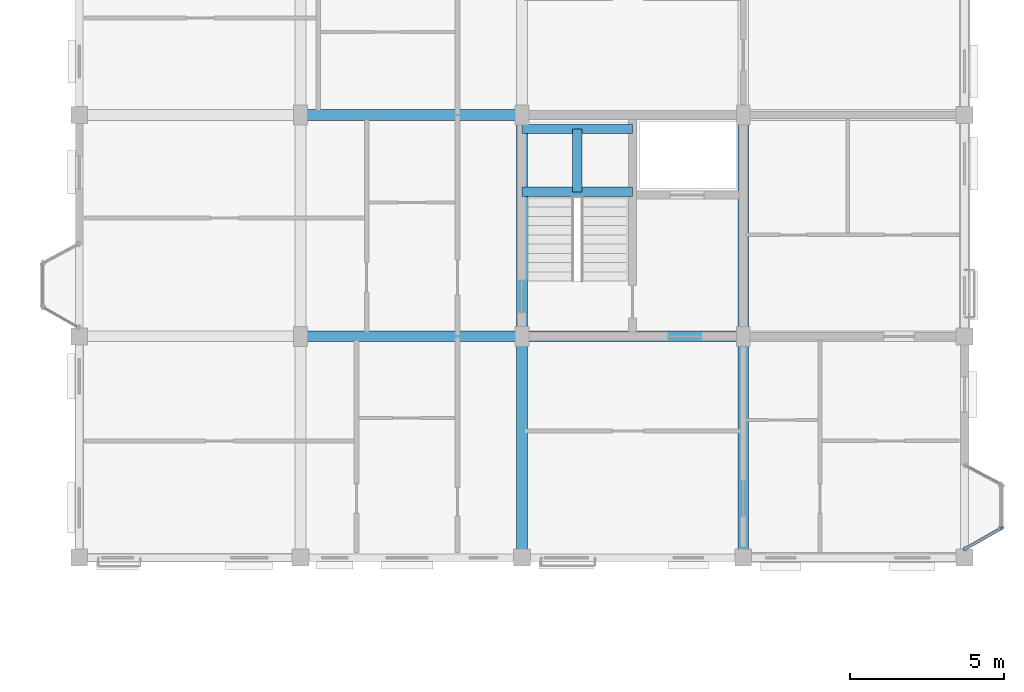
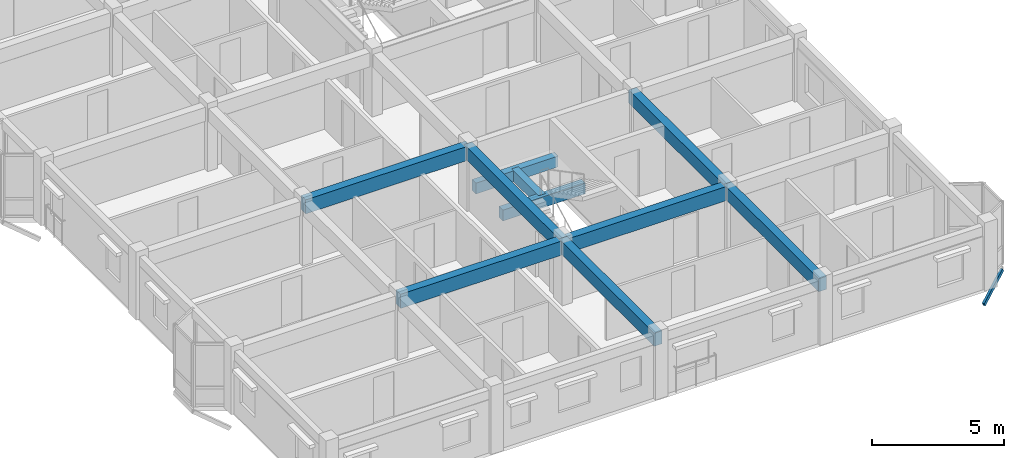
# One storey, part 24 of 79: 10 beams, 1 member.
"""IFC4 building model written with IfcOpenShell, lengths in metres."""

from ifc_helpers import new_model, si_unit, direction, frame, origin, origin_2d, place, context, subcontext, project, spatial, rectangle, hollow_rectangle, extrude, material, material_profile, profile_set, type_object, element, save


model = new_model("IFC4")

# Units and contexts
model_context = context("Model", 3, precision=1e-05, world=origin(), true_north=direction((0.0, 1.0)))
body_context = subcontext(model_context, "Body", "Model", "MODEL_VIEW")
ifc_project = project(units=[si_unit("LENGTHUNIT", "METRE"), si_unit("AREAUNIT", "SQUARE_METRE"), si_unit("VOLUMEUNIT", "CUBIC_METRE"), si_unit("PLANEANGLEUNIT", "RADIAN"), si_unit("MASSUNIT", "GRAM", prefix="KILO"), si_unit("THERMODYNAMICTEMPERATUREUNIT", "KELVIN"), si_unit("POWERUNIT", "WATT")], contexts=[model_context])

# Site, building, storey
site_placement = place(None, origin())
site = spatial("IfcSite", under=ifc_project, at=site_placement, CompositionType="ELEMENT")
building_placement = place(site_placement, origin())
building = spatial("IfcBuilding", under=site, at=building_placement, Name="Tavuni Mirador Residences", CompositionType="ELEMENT")
storey_placement = place(building_placement, frame((0.0, 0.0, 13.949951171875)))
storey = spatial("IfcBuildingStorey", under=building, at=storey_placement, Name="L04", CompositionType="ELEMENT", Elevation=13.949951171875)

# Beams
ifc_material_1 = material(Name="Precast concrete C40/50", Category="concrete")
ifc_material_profile_1 = material_profile(ifc_material_1, rectangle(XDim=0.300048828125, YDim=0.5, at=origin_2d()), Name="PC 300x500", Category="concrete")
ifc_profile_set_1 = profile_set([ifc_material_profile_1], Name="Precast concrete C40/50")
beam_type_1 = type_object("IfcBeamType", Name="BT-B500", PredefinedType="BEAM", material=ifc_profile_set_1)
for number, where, z_axis, x_axis, name in (
    (1, (104.39990234375, 98.300048828125, 1.14501953125), (1.0, 0.0, 0.0), (0.0, 1.0, 0.0), "HLB1-C7-L04"),
    (2, (104.39990234375, 100.35009765625, 1.14501953125), (1.0, 0.0, 0.0), (0.0, 1.0, 0.0), "HLB2-C7-L04"),
):
    element("IfcBeam", number, at=place(storey_placement, frame(where, z_axis=z_axis, x_axis=x_axis)), inside=storey, type_object=beam_type_1, Name=name, PredefinedType="BEAM", context=body_context, shape_type="SweptSolid", body=[
        extrude(rectangle(XDim=0.300048828125, YDim=0.5, at=origin_2d()), origin(), (0.0, 0.0, 1.0), 3.60009765625),
    ])
beam_1_placement = place(storey_placement, frame((106.199951171875, 98.300048828125, 1.14501953125), z_axis=(0.0, 1.0, 0.0), x_axis=(-1.0, 0.0, 0.0)))
element("IfcBeam", 3, at=beam_1_placement, inside=storey, type_object=beam_type_1, Name="HLB3-C7-L04", PredefinedType="BEAM", context=body_context, shape_type="SweptSolid", body=[
    extrude(rectangle(XDim=0.300048828125, YDim=0.5, at=origin_2d()), origin(), (0.0, 0.0, 1.0), 2.050048828125),
])
ifc_material_profile_2 = material_profile(ifc_material_1, rectangle(XDim=0.35009765625, YDim=0.60009765625, at=origin_2d()), Name="PC 350x600", Category="concrete")
ifc_profile_set_2 = profile_set([ifc_material_profile_2], Name="Precast concrete C40/50")
beam_type_2 = type_object("IfcBeamType", Name="BT-B600", PredefinedType="BEAM", material=ifc_profile_set_2)
beam_2_placement = place(storey_placement, frame((104.39990234375, 86.39990234375, 2.590087890625), z_axis=(0.0, 1.0, 0.0), x_axis=(-1.0, 0.0, 0.0)))
element("IfcBeam", 4, at=beam_2_placement, inside=storey, type_object=beam_type_2, Name="BMY-BLK-D-L04-02-00", PredefinedType="BEAM", context=body_context, shape_type="SweptSolid", body=[
    extrude(rectangle(XDim=0.35009765625, YDim=0.60009765625, at=origin_2d()), origin(), (0.0, 0.0, 1.0), 7.2001953125),
])
beam_3_placement = place(storey_placement, frame((104.39990234375, 93.60009765625, 2.590087890625), z_axis=(0.0, 1.0, 0.0), x_axis=(-1.0, 0.0, 0.0)))
element("IfcBeam", 5, at=beam_3_placement, inside=storey, type_object=beam_type_2, Name="BMY-BLK-D-L04-02-01", PredefinedType="BEAM", context=body_context, shape_type="SweptSolid", body=[
    extrude(rectangle(XDim=0.35009765625, YDim=0.60009765625, at=origin_2d()), origin(), (0.0, 0.0, 1.0), 7.199951171875),
])
beam_4_placement = place(storey_placement, frame((111.60009765625, 86.39990234375, 2.590087890625), z_axis=(0.0, 1.0, 0.0), x_axis=(-1.0, 0.0, 0.0)))
element("IfcBeam", 6, at=beam_4_placement, inside=storey, type_object=beam_type_2, Name="BMY-BLK-D-L04-03-00", PredefinedType="BEAM", context=body_context, shape_type="SweptSolid", body=[
    extrude(rectangle(XDim=0.35009765625, YDim=0.60009765625, at=origin_2d()), origin(), (0.0, 0.0, 1.0), 7.2001953125),
])
beam_5_placement = place(storey_placement, frame((111.60009765625, 93.60009765625, 2.590087890625), z_axis=(0.0, 1.0, 0.0), x_axis=(-1.0, 0.0, 0.0)))
element("IfcBeam", 7, at=beam_5_placement, inside=storey, type_object=beam_type_2, Name="BMY-BLK-D-L04-03-01", PredefinedType="BEAM", context=body_context, shape_type="SweptSolid", body=[
    extrude(rectangle(XDim=0.35009765625, YDim=0.60009765625, at=origin_2d()), origin(), (0.0, 0.0, 1.0), 7.199951171875),
])
ifc_material_profile_3 = material_profile(ifc_material_1, rectangle(XDim=0.35009765625, YDim=0.64990234375, at=origin_2d()), Name="PC 350x650", Category="concrete")
ifc_profile_set_3 = profile_set([ifc_material_profile_3], Name="Precast concrete C40/50")
beam_type_3 = type_object("IfcBeamType", Name="BT-B650", PredefinedType="BEAM", material=ifc_profile_set_3)
beam_6_placement = place(storey_placement, frame((97.199951171875, 93.60009765625, 2.56494140625), z_axis=(1.0, 0.0, 0.0), x_axis=(0.0, 1.0, 0.0)))
element("IfcBeam", 8, at=beam_6_placement, inside=storey, type_object=beam_type_3, Name="BMX-BLK-D-L04-01-01", PredefinedType="BEAM", context=body_context, shape_type="SweptSolid", body=[
    extrude(rectangle(XDim=0.35009765625, YDim=0.64990234375, at=origin_2d()), origin(), (0.0, 0.0, 1.0), 7.199951171875),
])
beam_7_placement = place(storey_placement, frame((104.39990234375, 93.60009765625, 2.56494140625), z_axis=(1.0, 0.0, 0.0), x_axis=(0.0, 1.0, 0.0)))
element("IfcBeam", 9, at=beam_7_placement, inside=storey, type_object=beam_type_3, Name="BMX-BLK-D-L04-02-01", PredefinedType="BEAM", context=body_context, shape_type="SweptSolid", body=[
    extrude(rectangle(XDim=0.35009765625, YDim=0.64990234375, at=origin_2d()), origin(), (0.0, 0.0, 1.0), 7.2001953125),
])
beam_8_placement = place(storey_placement, frame((97.199951171875, 100.800048828125, 2.56494140625), z_axis=(1.0, 0.0, 0.0), x_axis=(0.0, 1.0, 0.0)))
element("IfcBeam", 10, at=beam_8_placement, inside=storey, type_object=beam_type_3, Name="BMX-BLK-D-L04-01-02", PredefinedType="BEAM", context=body_context, shape_type="SweptSolid", body=[
    extrude(rectangle(XDim=0.35009765625, YDim=0.64990234375, at=origin_2d()), origin(), (0.0, 0.0, 1.0), 7.199951171875),
])

# Member
ifc_material_2 = material(Name="Structural steel S355", Category="steel")
ifc_material_profile_4 = material_profile(ifc_material_2, hollow_rectangle(XDim=0.10009765625, YDim=0.179931640625, WallThickness=0.008056640625, at=origin_2d()), Name="RHS 180x100x8.0", Category="steel")
ifc_profile_set_4 = profile_set([ifc_material_profile_4], Name="Structural steel S355")
member_type = type_object("IfcMemberType", Name="MT-BR-RHS180", PredefinedType="BRACE", material=ifc_profile_set_4)
member_placement = place(storey_placement, frame((118.800048828125, 86.675048828125, -1.050048828125), z_axis=(0.753903905175, 0.430407804256, 0.496364809185), x_axis=(-0.495796390047, 0.868438794398, 0.0)))
element("IfcMember", 11, at=member_placement, inside=storey, type_object=member_type, Name="MBRK-MIR-D-E1-L04-1", PredefinedType="BRACE", context=body_context, shape_type="SweptSolid", body=[
    extrude(hollow_rectangle(XDim=0.10009765625, YDim=0.179931640625, WallThickness=0.008056640625, at=origin_2d()), origin(), (0.0, 0.0, 1.0), 1.591552734375),
])

save(model, "model.ifc")
